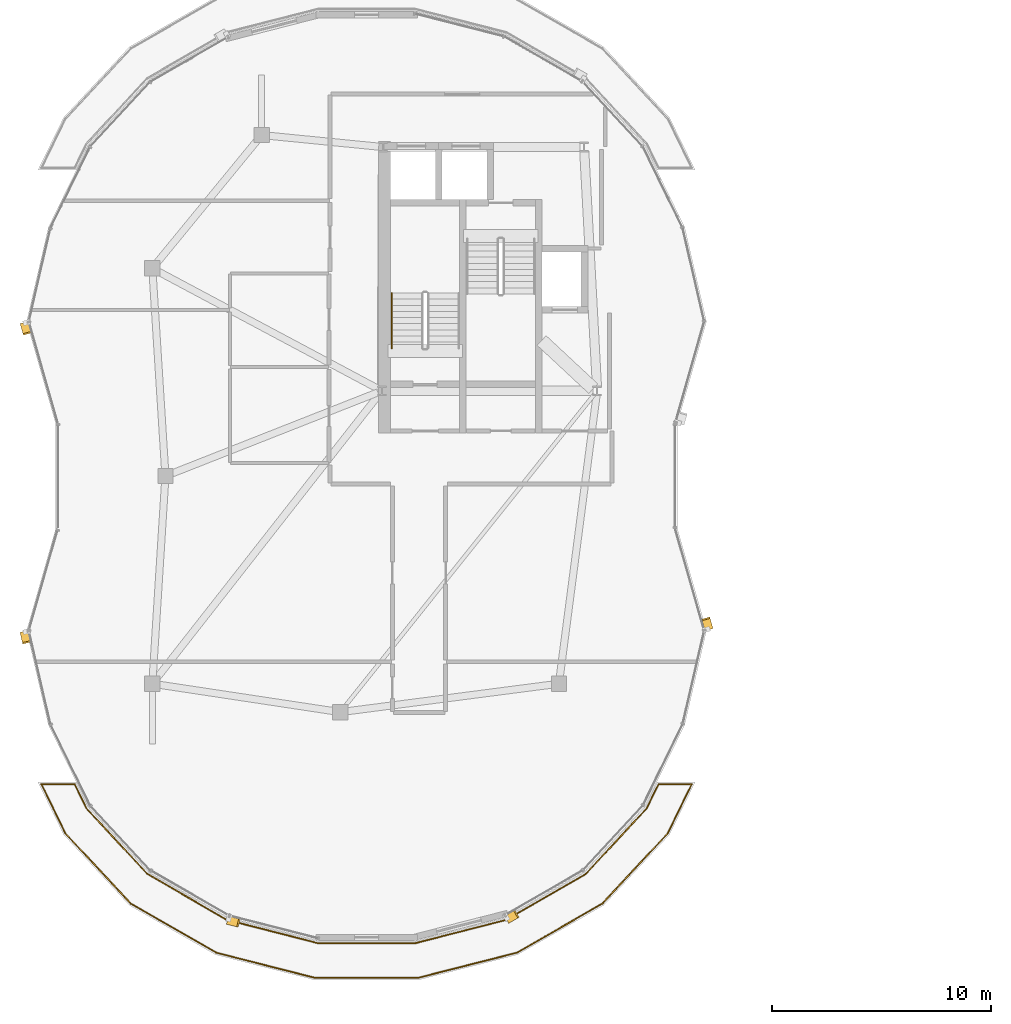
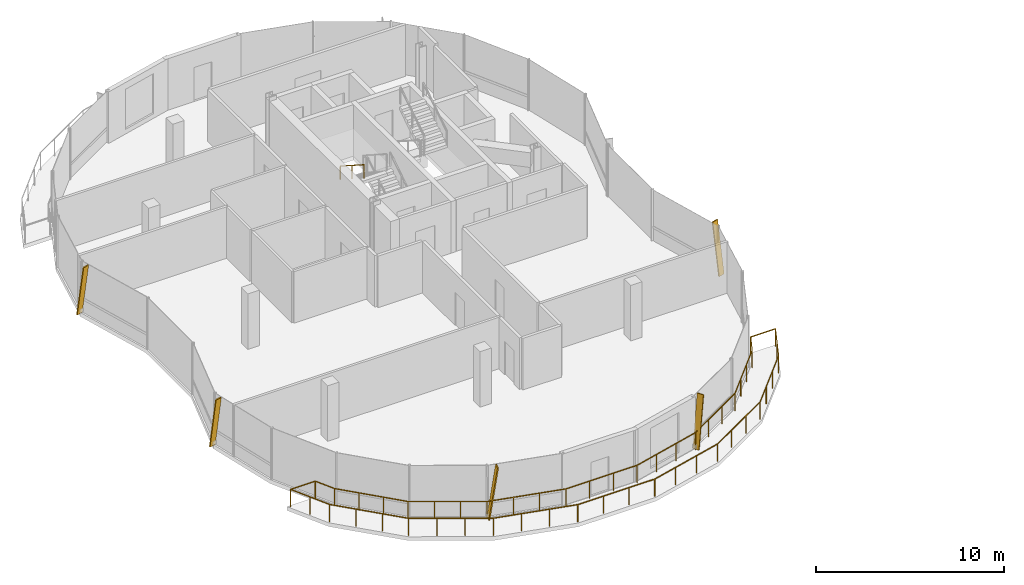
# One storey, part 17 of 20: 11 railings, 5 shading devices.
"""IFC4 building model written with IfcOpenShell, lengths in metres."""

from ifc_helpers import new_model, si_unit, direction, frame, origin, origin_2d, place, context, subcontext, project, spatial, rectangle, extrude, material, material_profile, profile_set, type_object, element, save


model = new_model("IFC4")

# Units and contexts
model_context = context("Model", 3, precision=1e-05, world=origin(), true_north=direction((0.0, 1.0)))
body_context = subcontext(model_context, "Body", "Model", "MODEL_VIEW")
ifc_project = project(units=[si_unit("LENGTHUNIT", "METRE"), si_unit("AREAUNIT", "SQUARE_METRE"), si_unit("VOLUMEUNIT", "CUBIC_METRE"), si_unit("PLANEANGLEUNIT", "RADIAN"), si_unit("MASSUNIT", "GRAM", prefix="KILO"), si_unit("THERMODYNAMICTEMPERATUREUNIT", "KELVIN"), si_unit("POWERUNIT", "WATT")], contexts=[model_context])

# Site, building, storey
site_placement = place(None, origin())
site = spatial("IfcSite", under=ifc_project, at=site_placement, CompositionType="ELEMENT")
building_placement = place(site_placement, origin())
building = spatial("IfcBuilding", under=site, at=building_placement, Name="Cundina Bronze Exchange", CompositionType="ELEMENT")
storey_placement = place(building_placement, frame((0.0, 0.0, 279.199951171875)))
storey = spatial("IfcBuildingStorey", under=building, at=storey_placement, Name="L74", CompositionType="ELEMENT", Elevation=279.199951171875)

# Railings
ifc_material_1 = material(Name="Anodised Bronze Aluminium 6063-T6", Category="aluminium")
railing_type_1 = type_object("IfcRailingType", Name="RLG-GRD-1150", PredefinedType="GUARDRAIL", material=ifc_material_1)
railing_1_placement = place(storey_placement, frame((-18.224365234375, -16.34765625, 0.0)))
element("IfcRailing", 1, at=railing_1_placement, inside=storey, type_object=railing_type_1, Name="L74 Perimeter Safety Guardrail 01", PredefinedType="GUARDRAIL", context=body_context, shape_type="SweptSolid", body=[
    extrude(rectangle(XDim=0.048095703125, YDim=0.048095703125, at=origin_2d()), frame((0.0, 0.0, 1.1259765625), z_axis=(-0.6814708466, -0.731845260444, 0.0), x_axis=(0.731845260444, -0.6814708466, 0.0)), (0.0, 0.0, 1.0), 4.395751953125),
    extrude(rectangle(XDim=0.048095703125, YDim=0.048095703125, at=origin_2d()), frame((-2.99560546875, -3.217041015625, 1.1259765625), z_axis=(-0.867447732917, -0.497528321462, 0.0), x_axis=(0.497528321462, -0.867447732917, 0.0)), (0.0, 0.0, 1.0), 4.501708984375),
    extrude(rectangle(XDim=0.0419921875, YDim=0.0419921875, at=origin_2d()), origin(), (0.0, 0.0, 1.0), 1.101806640625),
    extrude(rectangle(XDim=0.0419921875, YDim=0.0419921875, at=origin_2d()), frame((-0.99853515625, -1.072265625, 0.0)), (0.0, 0.0, 1.0), 1.101806640625),
    extrude(rectangle(XDim=0.0419921875, YDim=0.0419921875, at=origin_2d()), frame((-1.9970703125, -2.144775390625, 0.0)), (0.0, 0.0, 1.0), 1.101806640625),
    extrude(rectangle(XDim=0.0419921875, YDim=0.0419921875, at=origin_2d()), frame((-2.99560546875, -3.217041015625, 0.0)), (0.0, 0.0, 1.0), 1.101806640625),
    extrude(rectangle(XDim=0.0419921875, YDim=0.0419921875, at=origin_2d()), frame((-4.29736328125, -3.963623046875, 0.0)), (0.0, 0.0, 1.0), 1.101806640625),
    extrude(rectangle(XDim=0.0419921875, YDim=0.0419921875, at=origin_2d()), frame((-5.598876953125, -4.710205078125, 0.0)), (0.0, 0.0, 1.0), 1.101806640625),
    extrude(rectangle(XDim=0.0419921875, YDim=0.0419921875, at=origin_2d()), frame((-6.900634765625, -5.456787109375, 0.0)), (0.0, 0.0, 1.0), 1.101806640625),
])
railing_2_placement = place(storey_placement, frame((-25.125, -21.804443359375, 0.0)))
element("IfcRailing", 2, at=railing_2_placement, inside=storey, type_object=railing_type_1, Name="L74 Perimeter Safety Guardrail 02", PredefinedType="GUARDRAIL", context=body_context, shape_type="SweptSolid", body=[
    extrude(rectangle(XDim=0.048095703125, YDim=0.048095703125, at=origin_2d()), frame((0.0, 0.0, 1.1259765625), z_axis=(-0.969056834208, -0.246837703916, 0.0), x_axis=(0.246837703916, -0.969056834208, 0.0)), (0.0, 0.0, 1.0), 4.657470703125),
    extrude(rectangle(XDim=0.048095703125, YDim=0.048095703125, at=origin_2d()), frame((-4.513427734375, -1.149658203125, 1.1259765625), z_axis=(-1.0, 0.0, 0.0), x_axis=(0.0, -1.0, 0.0)), (0.0, 0.0, 1.0), 4.72314453125),
    extrude(rectangle(XDim=0.0419921875, YDim=0.0419921875, at=origin_2d()), origin(), (0.0, 0.0, 1.0), 1.101806640625),
    extrude(rectangle(XDim=0.0419921875, YDim=0.0419921875, at=origin_2d()), frame((-1.50439453125, -0.38330078125, 0.0)), (0.0, 0.0, 1.0), 1.101806640625),
    extrude(rectangle(XDim=0.0419921875, YDim=0.0419921875, at=origin_2d()), frame((-3.009033203125, -0.766357421875, 0.0)), (0.0, 0.0, 1.0), 1.101806640625),
    extrude(rectangle(XDim=0.0419921875, YDim=0.0419921875, at=origin_2d()), frame((-4.513427734375, -1.149658203125, 0.0)), (0.0, 0.0, 1.0), 1.101806640625),
    extrude(rectangle(XDim=0.0419921875, YDim=0.0419921875, at=origin_2d()), frame((-6.087890625, -1.149658203125, 0.0)), (0.0, 0.0, 1.0), 1.101806640625),
    extrude(rectangle(XDim=0.0419921875, YDim=0.0419921875, at=origin_2d()), frame((-7.662109375, -1.149658203125, 0.0)), (0.0, 0.0, 1.0), 1.101806640625),
    extrude(rectangle(XDim=0.0419921875, YDim=0.0419921875, at=origin_2d()), frame((-9.236572265625, -1.149658203125, 0.0)), (0.0, 0.0, 1.0), 1.101806640625),
])
railing_3_placement = place(storey_placement, frame((-34.361572265625, -22.9541015625, 0.0)))
element("IfcRailing", 3, at=railing_3_placement, inside=storey, type_object=railing_type_1, Name="L74 Perimeter Safety Guardrail 03", PredefinedType="GUARDRAIL", context=body_context, shape_type="SweptSolid", body=[
    extrude(rectangle(XDim=0.048095703125, YDim=0.048095703125, at=origin_2d()), frame((0.0, 0.0, 1.1259765625), z_axis=(-0.969056834208, 0.246837703916, 0.0), x_axis=(-0.246837703916, -0.969056834208, 0.0)), (0.0, 0.0, 1.0), 4.657470703125),
    extrude(rectangle(XDim=0.048095703125, YDim=0.048095703125, at=origin_2d()), frame((-4.513427734375, 1.149658203125, 1.1259765625), z_axis=(-0.867447732917, 0.497528321462, 0.0), x_axis=(-0.497528321462, -0.867447732917, 0.0)), (0.0, 0.0, 1.0), 4.501708984375),
    extrude(rectangle(XDim=0.0419921875, YDim=0.0419921875, at=origin_2d()), origin(), (0.0, 0.0, 1.0), 1.101806640625),
    extrude(rectangle(XDim=0.0419921875, YDim=0.0419921875, at=origin_2d()), frame((-1.50439453125, 0.38330078125, 0.0)), (0.0, 0.0, 1.0), 1.101806640625),
    extrude(rectangle(XDim=0.0419921875, YDim=0.0419921875, at=origin_2d()), frame((-3.009033203125, 0.766357421875, 0.0)), (0.0, 0.0, 1.0), 1.101806640625),
    extrude(rectangle(XDim=0.0419921875, YDim=0.0419921875, at=origin_2d()), frame((-4.513427734375, 1.149658203125, 0.0)), (0.0, 0.0, 1.0), 1.101806640625),
    extrude(rectangle(XDim=0.0419921875, YDim=0.0419921875, at=origin_2d()), frame((-5.815185546875, 1.896240234375, 0.0)), (0.0, 0.0, 1.0), 1.101806640625),
    extrude(rectangle(XDim=0.0419921875, YDim=0.0419921875, at=origin_2d()), frame((-7.11669921875, 2.642822265625, 0.0)), (0.0, 0.0, 1.0), 1.101806640625),
    extrude(rectangle(XDim=0.0419921875, YDim=0.0419921875, at=origin_2d()), frame((-8.41845703125, 3.389404296875, 0.0)), (0.0, 0.0, 1.0), 1.101806640625),
])
railing_4_placement = place(storey_placement, frame((-42.780029296875, -19.564697265625, 0.0)))
element("IfcRailing", 4, at=railing_4_placement, inside=storey, type_object=railing_type_1, Name="L74 Perimeter Safety Guardrail 04", PredefinedType="GUARDRAIL", context=body_context, shape_type="SweptSolid", body=[
    extrude(rectangle(XDim=0.048095703125, YDim=0.048095703125, at=origin_2d()), frame((0.0, 0.0, 1.1259765625), z_axis=(-0.6814708466, 0.731845260444, 0.0), x_axis=(-0.731845260444, -0.6814708466, 0.0)), (0.0, 0.0, 1.0), 4.395751953125),
    extrude(rectangle(XDim=0.048095703125, YDim=0.048095703125, at=origin_2d()), frame((-2.99560546875, 3.217041015625, 1.1259765625), z_axis=(-0.439469116008, 0.898257700259, 0.0), x_axis=(-0.898257700259, -0.439469116008, 0.0)), (0.0, 0.0, 1.0), 2.502197265625),
    extrude(rectangle(XDim=0.0419921875, YDim=0.0419921875, at=origin_2d()), origin(), (0.0, 0.0, 1.0), 1.101806640625),
    extrude(rectangle(XDim=0.0419921875, YDim=0.0419921875, at=origin_2d()), frame((-0.99853515625, 1.072265625, 0.0)), (0.0, 0.0, 1.0), 1.101806640625),
    extrude(rectangle(XDim=0.0419921875, YDim=0.0419921875, at=origin_2d()), frame((-1.9970703125, 2.144775390625, 0.0)), (0.0, 0.0, 1.0), 1.101806640625),
    extrude(rectangle(XDim=0.0419921875, YDim=0.0419921875, at=origin_2d()), frame((-2.99560546875, 3.217041015625, 0.0)), (0.0, 0.0, 1.0), 1.101806640625),
    extrude(rectangle(XDim=0.0419921875, YDim=0.0419921875, at=origin_2d()), frame((-3.54541015625, 4.3408203125, 0.0)), (0.0, 0.0, 1.0), 1.101806640625),
    extrude(rectangle(XDim=0.0419921875, YDim=0.0419921875, at=origin_2d()), frame((-4.09521484375, 5.464599609375, 0.0)), (0.0, 0.0, 1.0), 1.101806640625),
])
railing_5_placement = place(storey_placement, frame((-46.875244140625, -14.10009765625, 0.0)))
element("IfcRailing", 5, at=railing_5_placement, inside=storey, type_object=railing_type_1, Name="L74 Perimeter Safety Guardrail 05", PredefinedType="GUARDRAIL", context=body_context, shape_type="SweptSolid", body=[
    extrude(rectangle(XDim=0.048095703125, YDim=0.048095703125, at=origin_2d()), frame((0.0, 0.0, 1.1259765625), z_axis=(1.0, 0.0, 0.0), x_axis=(0.0, 1.0, 0.0)), (0.0, 0.0, 1.0), 1.5185546875),
    extrude(rectangle(XDim=0.048095703125, YDim=0.048095703125, at=origin_2d()), frame((1.5185546875, 0.0, 1.1259765625), z_axis=(0.441657034824, -0.89718396307, 0.0), x_axis=(0.89718396307, 0.441657034824, 0.0)), (0.0, 0.0, 1.0), 1.232177734375),
    extrude(rectangle(XDim=0.0419921875, YDim=0.0419921875, at=origin_2d()), origin(), (0.0, 0.0, 1.0), 1.101806640625),
    extrude(rectangle(XDim=0.0419921875, YDim=0.0419921875, at=origin_2d()), frame((1.5185546875, 0.0, 0.0)), (0.0, 0.0, 1.0), 1.101806640625),
    extrude(rectangle(XDim=0.0419921875, YDim=0.0419921875, at=origin_2d()), frame((2.062744140625, -1.10546875, 0.0)), (0.0, 0.0, 1.0), 1.101806640625),
])
railing_6_placement = place(storey_placement, frame((-44.8125, -15.20556640625, 0.0)))
element("IfcRailing", 6, at=railing_6_placement, inside=storey, type_object=railing_type_1, Name="L74 Perimeter Safety Guardrail 06", PredefinedType="GUARDRAIL", context=body_context, shape_type="SweptSolid", body=[
    extrude(rectangle(XDim=0.048095703125, YDim=0.048095703125, at=origin_2d()), frame((0.0, 0.0, 1.1259765625), z_axis=(0.680512906309, -0.732736094611, 0.0), x_axis=(0.732736094611, 0.680512906309, 0.0)), (0.0, 0.0, 1.0), 4.090576171875),
    extrude(rectangle(XDim=0.048095703125, YDim=0.048095703125, at=origin_2d()), frame((2.78369140625, -2.997314453125, 1.1259765625), z_axis=(0.866055627774, -0.49994764686, 0.0), x_axis=(0.49994764686, 0.866055627774, 0.0)), (0.0, 0.0, 1.0), 4.19189453125),
    extrude(rectangle(XDim=0.0419921875, YDim=0.0419921875, at=origin_2d()), origin(), (0.0, 0.0, 1.0), 1.101806640625),
    extrude(rectangle(XDim=0.0419921875, YDim=0.0419921875, at=origin_2d()), frame((0.927978515625, -0.9990234375, 0.0)), (0.0, 0.0, 1.0), 1.101806640625),
    extrude(rectangle(XDim=0.0419921875, YDim=0.0419921875, at=origin_2d()), frame((1.855712890625, -1.998291015625, 0.0)), (0.0, 0.0, 1.0), 1.101806640625),
    extrude(rectangle(XDim=0.0419921875, YDim=0.0419921875, at=origin_2d()), frame((2.78369140625, -2.997314453125, 0.0)), (0.0, 0.0, 1.0), 1.101806640625),
    extrude(rectangle(XDim=0.0419921875, YDim=0.0419921875, at=origin_2d()), frame((3.993896484375, -3.69580078125, 0.0)), (0.0, 0.0, 1.0), 1.101806640625),
    extrude(rectangle(XDim=0.0419921875, YDim=0.0419921875, at=origin_2d()), frame((5.203857421875, -4.39453125, 0.0)), (0.0, 0.0, 1.0), 1.101806640625),
    extrude(rectangle(XDim=0.0419921875, YDim=0.0419921875, at=origin_2d()), frame((6.4140625, -5.093017578125, 0.0)), (0.0, 0.0, 1.0), 1.101806640625),
])
railing_7_placement = place(storey_placement, frame((-38.3984375, -20.298583984375, 0.0)))
element("IfcRailing", 7, at=railing_7_placement, inside=storey, type_object=railing_type_1, Name="L74 Perimeter Safety Guardrail 07", PredefinedType="GUARDRAIL", context=body_context, shape_type="SweptSolid", body=[
    extrude(rectangle(XDim=0.048095703125, YDim=0.048095703125, at=origin_2d()), frame((0.0, 0.0, 1.1259765625), z_axis=(0.968635825171, -0.248484684025, 0.0), x_axis=(0.248484684025, 0.968635825171, 0.0)), (0.0, 0.0, 1.0), 4.3515625),
    extrude(rectangle(XDim=0.048095703125, YDim=0.048095703125, at=origin_2d()), frame((4.215087890625, -1.081298828125, 1.1259765625), z_axis=(0.999999985988, 0.00016740137, 0.0), x_axis=(-0.00016740137, 0.999999985988, 0.0)), (0.0, 0.0, 1.0), 4.375244140625),
    extrude(rectangle(XDim=0.0419921875, YDim=0.0419921875, at=origin_2d()), origin(), (0.0, 0.0, 1.0), 1.101806640625),
    extrude(rectangle(XDim=0.0419921875, YDim=0.0419921875, at=origin_2d()), frame((1.405029296875, -0.3603515625, 0.0)), (0.0, 0.0, 1.0), 1.101806640625),
    extrude(rectangle(XDim=0.0419921875, YDim=0.0419921875, at=origin_2d()), frame((2.81005859375, -0.720947265625, 0.0)), (0.0, 0.0, 1.0), 1.101806640625),
    extrude(rectangle(XDim=0.0419921875, YDim=0.0419921875, at=origin_2d()), frame((4.215087890625, -1.081298828125, 0.0)), (0.0, 0.0, 1.0), 1.101806640625),
    extrude(rectangle(XDim=0.0419921875, YDim=0.0419921875, at=origin_2d()), frame((5.673583984375, -1.0810546875, 0.0)), (0.0, 0.0, 1.0), 1.101806640625),
    extrude(rectangle(XDim=0.0419921875, YDim=0.0419921875, at=origin_2d()), frame((7.1318359375, -1.080810546875, 0.0)), (0.0, 0.0, 1.0), 1.101806640625),
    extrude(rectangle(XDim=0.0419921875, YDim=0.0419921875, at=origin_2d()), frame((8.59033203125, -1.08056640625, 0.0)), (0.0, 0.0, 1.0), 1.101806640625),
])
railing_8_placement = place(storey_placement, frame((-29.80810546875, -21.379150390625, 0.0)))
element("IfcRailing", 8, at=railing_8_placement, inside=storey, type_object=railing_type_1, Name="L74 Perimeter Safety Guardrail 08", PredefinedType="GUARDRAIL", context=body_context, shape_type="SweptSolid", body=[
    extrude(rectangle(XDim=0.048095703125, YDim=0.048095703125, at=origin_2d()), frame((0.0, 0.0, 1.1259765625), z_axis=(0.968729595543, 0.248118864093, 0.0), x_axis=(-0.248118864093, 0.968729595543, 0.0)), (0.0, 0.0, 1.0), 4.328369140625),
    extrude(rectangle(XDim=0.048095703125, YDim=0.048095703125, at=origin_2d()), frame((4.193115234375, 1.073974609375, 1.1259765625), z_axis=(0.86617495788, 0.499740875196, 0.0), x_axis=(-0.499740875196, 0.86617495788, 0.0)), (0.0, 0.0, 1.0), 4.206787109375),
    extrude(rectangle(XDim=0.0419921875, YDim=0.0419921875, at=origin_2d()), origin(), (0.0, 0.0, 1.0), 1.101806640625),
    extrude(rectangle(XDim=0.0419921875, YDim=0.0419921875, at=origin_2d()), frame((1.397705078125, 0.35791015625, 0.0)), (0.0, 0.0, 1.0), 1.101806640625),
    extrude(rectangle(XDim=0.0419921875, YDim=0.0419921875, at=origin_2d()), frame((2.79541015625, 0.716064453125, 0.0)), (0.0, 0.0, 1.0), 1.101806640625),
    extrude(rectangle(XDim=0.0419921875, YDim=0.0419921875, at=origin_2d()), frame((4.193115234375, 1.073974609375, 0.0)), (0.0, 0.0, 1.0), 1.101806640625),
    extrude(rectangle(XDim=0.0419921875, YDim=0.0419921875, at=origin_2d()), frame((5.40771484375, 1.774658203125, 0.0)), (0.0, 0.0, 1.0), 1.101806640625),
    extrude(rectangle(XDim=0.0419921875, YDim=0.0419921875, at=origin_2d()), frame((6.622314453125, 2.4755859375, 0.0)), (0.0, 0.0, 1.0), 1.101806640625),
    extrude(rectangle(XDim=0.0419921875, YDim=0.0419921875, at=origin_2d()), frame((7.8369140625, 3.17626953125, 0.0)), (0.0, 0.0, 1.0), 1.101806640625),
])
railing_9_placement = place(storey_placement, frame((-21.97119140625, -18.202880859375, 0.0)))
element("IfcRailing", 9, at=railing_9_placement, inside=storey, type_object=railing_type_1, Name="L74 Perimeter Safety Guardrail 09", PredefinedType="GUARDRAIL", context=body_context, shape_type="SweptSolid", body=[
    extrude(rectangle(XDim=0.048095703125, YDim=0.048095703125, at=origin_2d()), frame((0.0, 0.0, 1.1259765625), z_axis=(0.680512906309, 0.732736094611, 0.0), x_axis=(-0.732736094611, 0.680512906309, 0.0)), (0.0, 0.0, 1.0), 4.090576171875),
    extrude(rectangle(XDim=0.048095703125, YDim=0.048095703125, at=origin_2d()), frame((2.78369140625, 2.997314453125, 1.1259765625), z_axis=(0.441657034824, 0.89718396307, 0.0), x_axis=(-0.89718396307, 0.441657034824, 0.0)), (0.0, 0.0, 1.0), 1.232177734375),
    extrude(rectangle(XDim=0.0419921875, YDim=0.0419921875, at=origin_2d()), origin(), (0.0, 0.0, 1.0), 1.101806640625),
    extrude(rectangle(XDim=0.0419921875, YDim=0.0419921875, at=origin_2d()), frame((0.927978515625, 0.9990234375, 0.0)), (0.0, 0.0, 1.0), 1.101806640625),
    extrude(rectangle(XDim=0.0419921875, YDim=0.0419921875, at=origin_2d()), frame((1.855712890625, 1.998291015625, 0.0)), (0.0, 0.0, 1.0), 1.101806640625),
    extrude(rectangle(XDim=0.0419921875, YDim=0.0419921875, at=origin_2d()), frame((2.78369140625, 2.997314453125, 0.0)), (0.0, 0.0, 1.0), 1.101806640625),
    extrude(rectangle(XDim=0.0419921875, YDim=0.0419921875, at=origin_2d()), frame((3.327880859375, 4.102783203125, 0.0)), (0.0, 0.0, 1.0), 1.101806640625),
])
railing_10_placement = place(storey_placement, frame((-18.643310546875, -14.10009765625, 0.0)))
element("IfcRailing", 10, at=railing_10_placement, inside=storey, type_object=railing_type_1, Name="L74 Perimeter Safety Guardrail 10", PredefinedType="GUARDRAIL", context=body_context, shape_type="SweptSolid", body=[
    extrude(rectangle(XDim=0.048095703125, YDim=0.048095703125, at=origin_2d()), frame((0.0, 0.0, 1.1259765625), z_axis=(1.0, 0.0, 0.0), x_axis=(0.0, 1.0, 0.0)), (0.0, 0.0, 1.0), 1.5185546875),
    extrude(rectangle(XDim=0.048095703125, YDim=0.048095703125, at=origin_2d()), frame((1.5185546875, 0.0, 1.1259765625), z_axis=(-0.439469116008, -0.898257700259, 0.0), x_axis=(0.898257700259, -0.439469116008, 0.0)), (0.0, 0.0, 1.0), 2.502197265625),
    extrude(rectangle(XDim=0.0419921875, YDim=0.0419921875, at=origin_2d()), origin(), (0.0, 0.0, 1.0), 1.101806640625),
    extrude(rectangle(XDim=0.0419921875, YDim=0.0419921875, at=origin_2d()), frame((1.5185546875, 0.0, 0.0)), (0.0, 0.0, 1.0), 1.101806640625),
    extrude(rectangle(XDim=0.0419921875, YDim=0.0419921875, at=origin_2d()), frame((0.96875, -1.123779296875, 0.0)), (0.0, 0.0, 1.0), 1.101806640625),
    extrude(rectangle(XDim=0.0419921875, YDim=0.0419921875, at=origin_2d()), frame((0.4189453125, -2.24755859375, 0.0)), (0.0, 0.0, 1.0), 1.101806640625),
])
ifc_material_2 = material(Name="Steel ASTM A36 Painted", Category="steel")
railing_type_2 = type_object("IfcRailingType", Name="RLG-HND-900", PredefinedType="HANDRAIL", material=ifc_material_2)
railing_11_placement = place(storey_placement, frame((-30.85009765625, 8.3701171875, 1.97998046875)))
element("IfcRailing", 11, at=railing_11_placement, inside=storey, type_object=railing_type_2, Name="L74 ST-W1 stair handrail 2", PredefinedType="HANDRAIL", context=body_context, shape_type="SweptSolid", body=[
    extrude(rectangle(XDim=0.048095703125, YDim=0.048095703125, at=origin_2d()), frame((0.0, 0.0, 0.8759765625), z_axis=(0.0, -0.841162588446, 0.540782303519), x_axis=(1.0, 0.0, 0.0)), (0.0, 0.0, 1.0), 2.995849609375),
    extrude(rectangle(XDim=0.0419921875, YDim=0.0419921875, at=origin_2d()), origin(), (0.0, 0.0, 1.0), 0.851806640625),
    extrude(rectangle(XDim=0.0419921875, YDim=0.0419921875, at=origin_2d()), frame((0.0, -1.260009765625, 0.81005859375)), (0.0, 0.0, 1.0), 0.851806640625),
    extrude(rectangle(XDim=0.0419921875, YDim=0.0419921875, at=origin_2d()), frame((0.0, -2.52001953125, 1.6201171875)), (0.0, 0.0, 1.0), 0.851806640625),
])

# Shading devices
ifc_material_profile = material_profile(ifc_material_1, rectangle(XDim=0.070068359375, YDim=0.3798828125, at=origin_2d()), Name="FIN70X380", Category="aluminium")
ifc_profile_set = profile_set([ifc_material_profile], Name="Anodised Bronze Aluminium 6063-T6")
shading_device_type = type_object("IfcShadingDeviceType", Name="SHD-FIN-BRZ380", PredefinedType="USERDEFINED", material=ifc_profile_set)
for number, where, z_axis, x_axis, name in (
    (12, (-47.656982421875, 6.9912109375, 0.02001953125), (0.039533874131, -0.138368559458, 0.989591438195), (-0.271861676059, 0.951515866205, 0.14390547401), "L74 Diagonal Bronze Solar Fin 5"),
    (13, (-47.66064453125, -7.139404296875, 0.02001953125), (0.032432105635, -0.140270687124, 0.989581877794), (-0.222921135914, 0.964146493029, 0.143971202475), "L74 Diagonal Bronze Solar Fin 1"),
    (14, (-38.32666015625, -20.326416015625, 0.02001953125), (0.139393638762, -0.035726941027, 0.989592339884), (-0.958607184248, 0.245693437979, 0.143899273252), "L74 Diagonal Bronze Solar Fin 5"),
    (15, (-25.559814453125, -20.2802734375, 0.02001953125), (0.12474991864, 0.07189226532, 0.989580193813), (-0.857394553809, -0.49410883324, 0.143982776795), "L74 Diagonal Bronze Solar Fin 1"),
    (16, (-16.343017578125, -6.9912109375, 0.02001953125), (-0.039533874131, 0.138368559458, 0.989591438195), (0.271861676059, -0.951515866205, 0.14390547401), "L74 Diagonal Bronze Solar Fin 5"),
):
    element("IfcShadingDevice", number, at=place(storey_placement, frame(where, z_axis=z_axis, x_axis=x_axis)), inside=storey, type_object=shading_device_type, Name=name, ObjectType="FIN", PredefinedType="USERDEFINED", context=body_context, shape_type="SweptSolid", body=[
        extrude(rectangle(XDim=0.070068359375, YDim=0.3798828125, at=origin_2d()), origin(), (0.0, 0.0, 1.0), 3.334716796875),
    ])

save(model, "model.ifc")
